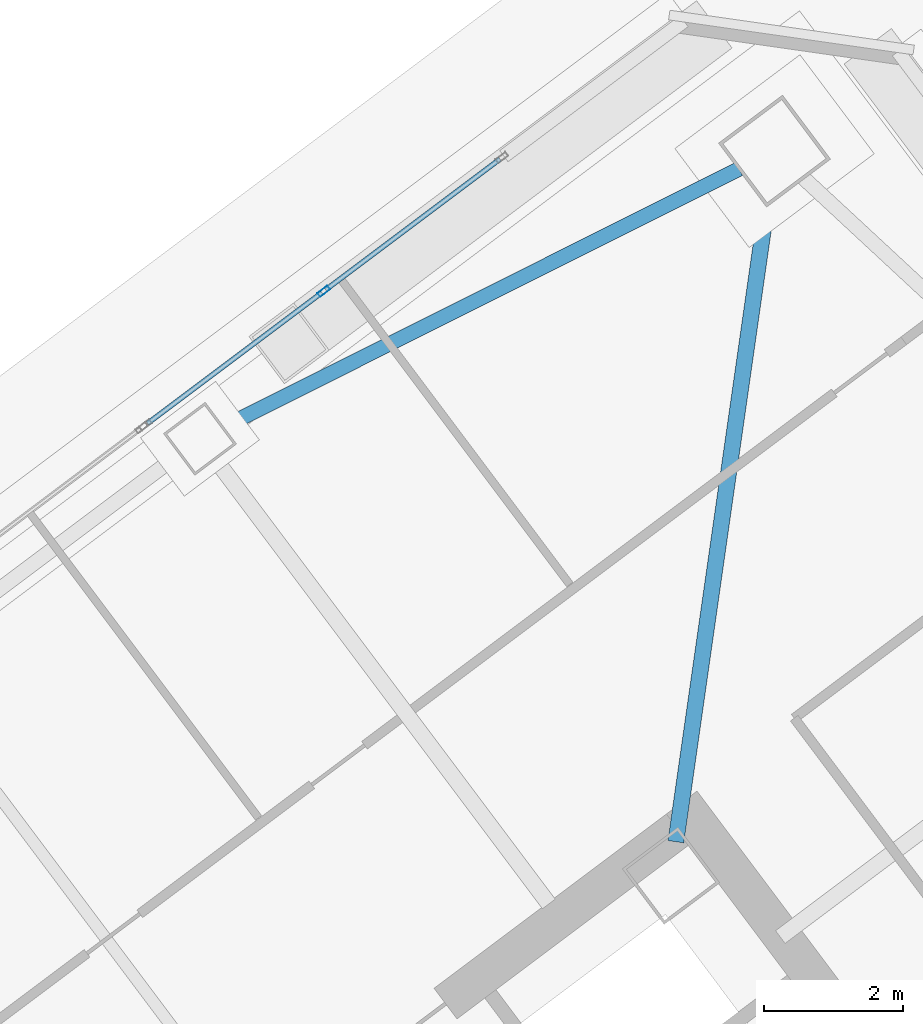
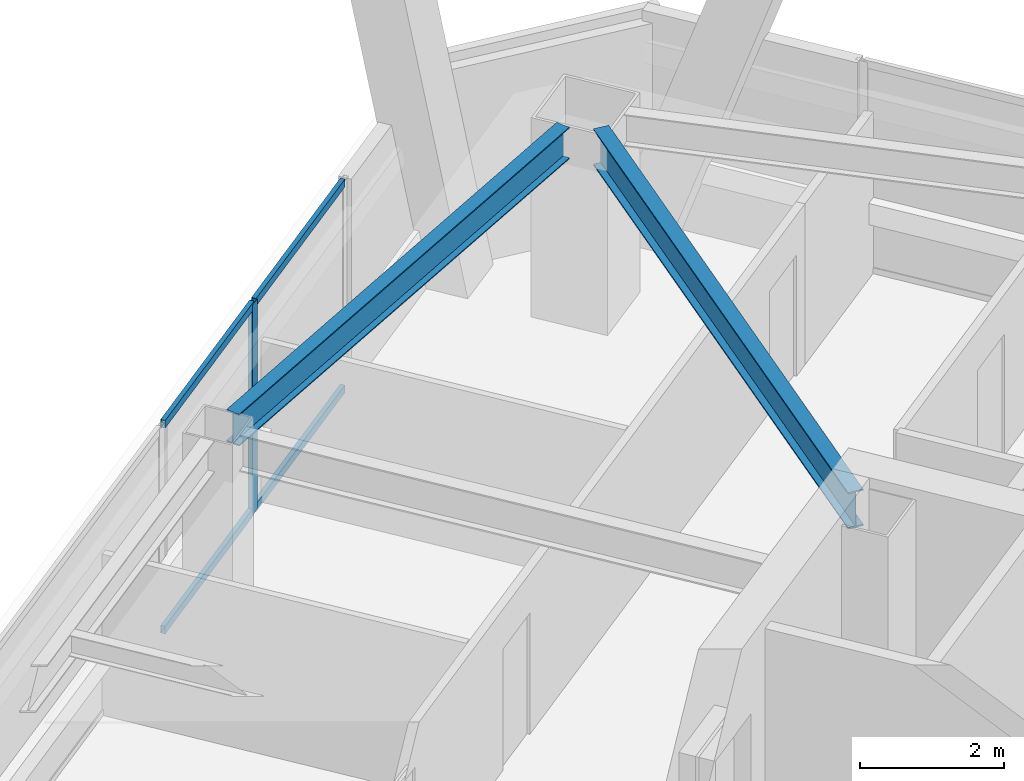
# One storey, part 46 of 65: 5 members, 2 beams, 1 element without a shape of its own.
"""IFC4 building model written with IfcOpenShell, lengths in metres."""

import ifcopenshell
import ifcopenshell.guid

model = None  # the IFC model being written
_history = None  # IfcOwnerHistory: only IFC2X3 demands one
_inside = {}  # id of a spatial element -> (the spatial element, [elements in it])
_under = {}  # id of a project, library or spatial element -> (it, [spatial elements below it])
_declared = {}  # id of a project -> (the project, [libraries it declares])
_typed = {}  # id of a type object -> (the type object, [elements of that type])
_made_of = {}  # id of a material, layer set ... -> (it, [elements and type objects made of it])


def new_model(schema):
    """Start an empty IFC model of exactly this schema.

    Asked for "IFC4X3", IfcOpenShell would pick the latest addendum, in which some entities
    have other attributes; the version numbers below select the first issue.
    IFC2X3 requires an IfcOwnerHistory on every rooted entity: one is made here for all.
    """
    global model, _history
    if schema == "IFC4X3":
        model = ifcopenshell.file(schema_version=(4, 3, 0, 0))
    else:
        model = ifcopenshell.file(schema=schema)
    _inside.clear()
    _under.clear()
    _declared.clear()
    _typed.clear()
    _made_of.clear()
    _history = None
    if model.schema == "IFC2X3":
        org = make("IfcOrganization", Name="unknown")
        user = make(
            "IfcPersonAndOrganization",
            ThePerson=make("IfcPerson", FamilyName="unknown"),
            TheOrganization=org,
        )
        app = make(
            "IfcApplication",
            ApplicationDeveloper=org,
            Version="unknown",
            ApplicationFullName="unknown",
            ApplicationIdentifier="unknown",
        )
        _history = make(
            "IfcOwnerHistory",
            OwningUser=user,
            OwningApplication=app,
            ChangeAction="ADDED",
            CreationDate=0,
        )
    return model


def make(cls, **values):
    """One entity of the class cls with the attributes given. An attribute that is None is left unset."""
    return model.create_entity(
        cls, **{name: value for name, value in values.items() if value is not None}
    )


def rooted(cls, **values):
    """An entity with a GlobalId (a new one), such as an element, a storey or a relation."""
    return make(cls, GlobalId=ifcopenshell.guid.new(), OwnerHistory=_history, **values)


def si_unit(unit_type, name, prefix=None):
    """IfcSIUnit, for example si_unit("LENGTHUNIT", "METRE", prefix="MILLI")."""
    return make("IfcSIUnit", UnitType=unit_type, Prefix=prefix, Name=name)


def assignment(units):
    """IfcUnitAssignment: the units of a project."""
    return None if units is None else make("IfcUnitAssignment", Units=units)


def point(xyz):
    """IfcCartesianPoint."""
    return None if xyz is None else make("IfcCartesianPoint", Coordinates=xyz)


def direction(xyz):
    """IfcDirection."""
    return None if xyz is None else make("IfcDirection", DirectionRatios=xyz)


def frame(location, z_axis=None, x_axis=None):
    """IfcAxis2Placement3D, a coordinate frame: its origin and axes. An axis left out is left unset."""
    return make(
        "IfcAxis2Placement3D",
        Location=point(location),
        Axis=direction(z_axis),
        RefDirection=direction(x_axis),
    )


def frame_2d(location, x_axis=None):
    """IfcAxis2Placement2D, a coordinate frame in the plane: its origin and x axis."""
    return make(
        "IfcAxis2Placement2D", Location=point(location), RefDirection=direction(x_axis)
    )


def origin():
    """The frame at (0, 0, 0) with its axes left unset."""
    return frame((0.0, 0.0, 0.0))


def origin_2d():
    """The frame at (0, 0) in the plane with its x axis left unset."""
    return frame_2d((0.0, 0.0))


def place(relative_to, where):
    """IfcLocalPlacement: puts the frame where relative to a parent placement (None: the world)."""
    return make(
        "IfcLocalPlacement", PlacementRelTo=relative_to, RelativePlacement=where
    )


def context(
    kind, dimensions, precision=None, world=None, true_north=None, identifier=None
):
    """IfcGeometricRepresentationContext, for example the 3D "Model" context."""
    return make(
        "IfcGeometricRepresentationContext",
        ContextIdentifier=identifier,
        ContextType=kind,
        CoordinateSpaceDimension=dimensions,
        Precision=precision,
        WorldCoordinateSystem=world,
        TrueNorth=true_north,
    )


def subcontext(parent, identifier, kind, view, scale=None):
    """IfcGeometricRepresentationSubContext, for example "Body" below "Model"."""
    return make(
        "IfcGeometricRepresentationSubContext",
        ContextIdentifier=identifier,
        ContextType=kind,
        ParentContext=parent,
        TargetScale=scale,
        TargetView=view,
    )


def project(units=None, contexts=None):
    """IfcProject with its units and contexts."""
    return rooted(
        "IfcProject",
        Name="project",
        RepresentationContexts=contexts,
        UnitsInContext=assignment(units),
    )


def spatial(cls, under=None, at=None, **own):
    """A site, building, storey or space (cls), placed at a placement, below another one or the project."""
    s = rooted(cls, ObjectPlacement=at, **own)
    if under is not None:
        _under.setdefault(under.id(), (under, []))[1].append(s)
    return s


def profile(cls, at=None, kind="AREA", **sizes):
    """A parametric profile (cls). Its sizes go by their IFC names, for example OverallWidth=200.0."""
    return make(cls, ProfileType=kind, Position=at, **sizes)


def hollow_rectangle(**sizes):
    """IfcRectangleHollowProfileDef."""
    return profile("IfcRectangleHollowProfileDef", **sizes)


def i_section(**sizes):
    """IfcIShapeProfileDef."""
    return profile("IfcIShapeProfileDef", **sizes)


def extrude(swept, where, along, depth):
    """IfcExtrudedAreaSolid: the profile swept, set in the frame where, extruded along a direction by depth."""
    return make(
        "IfcExtrudedAreaSolid",
        SweptArea=swept,
        Position=where,
        ExtrudedDirection=direction(along),
        Depth=depth,
    )


def shape(context_of_items, identifier, shape_type, items):
    """IfcShapeRepresentation: the items that make up one representation, for example the "Body"."""
    return make(
        "IfcShapeRepresentation",
        ContextOfItems=context_of_items,
        RepresentationIdentifier=identifier,
        RepresentationType=shape_type,
        Items=items,
    )


def material(Name=None, Category=None):
    """IfcMaterial."""
    return make("IfcMaterial", Name=Name, Category=Category)


def material_profile(
    of_material, cross_section, Name=None, Category=None, Priority=None
):
    """IfcMaterialProfile: a cross section and its material."""
    return make(
        "IfcMaterialProfile",
        Name=Name,
        Material=of_material,
        Profile=cross_section,
        Priority=Priority,
        Category=Category,
    )


def profile_set(profiles, Name=None, composite=None):
    """IfcMaterialProfileSet."""
    return make(
        "IfcMaterialProfileSet",
        Name=Name,
        MaterialProfiles=profiles,
        CompositeProfile=composite,
    )


def made_of(thing, what):
    """Note that an element or type object is made of a material, layer set ...; save() writes the relation."""
    if what is not None:
        _made_of.setdefault(what.id(), (what, []))[1].append(thing)
    return thing


def type_object(cls, material=None, **own):
    """A type object (cls), such as IfcWallType, which elements share."""
    return made_of(rooted(cls, **own), material)


def element(
    cls,
    number,
    at=None,
    inside=None,
    cuts=None,
    type_object=None,
    material=None,
    context=None,
    identifier="Body",
    shape_type=None,
    held_by="IfcProductDefinitionShape",
    body=None,
    shapes=None,
    **own,
):
    """One element of the class cls, such as IfcWall. Its Tag is "e" and its number.

    at: its placement. inside: the storey or other place that contains it. cuts: it is an
    opening in that element (IfcRelVoidsElement). A single representation is given by context,
    identifier, shape_type and body (its items); several are given by shapes. held_by: the class
    of the entity that holds the representations. save() writes the other relations.
    """
    e = rooted(cls, Tag="e%d" % number, ObjectPlacement=at, **own)
    if body is not None:
        shapes = [shape(context, identifier, shape_type, body)]
    if shapes is not None:
        e.Representation = make(held_by, Representations=shapes)
    if inside is not None:
        _inside.setdefault(inside.id(), (inside, []))[1].append(e)
    if cuts is not None:
        rooted(
            "IfcRelVoidsElement", RelatingBuildingElement=cuts, RelatedOpeningElement=e
        )
    if type_object is not None:
        _typed.setdefault(type_object.id(), (type_object, []))[1].append(e)
    return made_of(e, material)


def aggregate(whole, parts):
    """IfcRelAggregates: a whole, such as a stair, and the parts it consists of."""
    return rooted("IfcRelAggregates", RelatingObject=whole, RelatedObjects=parts)


def save(model, path):
    """Write the relations noted so far, then the file.

    IfcRelAggregates (storeys below a building ...), IfcRelContainedInSpatialStructure (elements
    in a storey), IfcRelDefinesByType, IfcRelAssociatesMaterial and IfcRelDeclares: one each for
    every whole, place, type object, material and project.
    """
    for whole, parts in _under.values():
        aggregate(whole, parts)
    for where, things in _inside.values():
        rooted(
            "IfcRelContainedInSpatialStructure",
            RelatedElements=things,
            RelatingStructure=where,
        )
    for kind, things in _typed.values():
        rooted("IfcRelDefinesByType", RelatedObjects=things, RelatingType=kind)
    for what, things in _made_of.values():
        rooted("IfcRelAssociatesMaterial", RelatedObjects=things, RelatingMaterial=what)
    for by, libraries in _declared.values():
        rooted("IfcRelDeclares", RelatingContext=by, RelatedDefinitions=libraries)
    model.write(path)


model = new_model("IFC4")

# Units and contexts
model_context = context("Model", 3, precision=1e-05, world=origin(), true_north=direction((0.0, 1.0)))
body_context = subcontext(model_context, "Body", "Model", "MODEL_VIEW")
ifc_project = project(units=[si_unit("LENGTHUNIT", "METRE"), si_unit("AREAUNIT", "SQUARE_METRE"), si_unit("VOLUMEUNIT", "CUBIC_METRE"), si_unit("PLANEANGLEUNIT", "RADIAN"), si_unit("MASSUNIT", "GRAM", prefix="KILO")], contexts=[model_context])

# Site, building, storey
site_placement = place(None, origin())
site = spatial("IfcSite", under=ifc_project, at=site_placement, CompositionType="ELEMENT")
building_placement = place(site_placement, origin())
building = spatial("IfcBuilding", under=site, at=building_placement, Name="Tashvorn Skyway Center", CompositionType="ELEMENT")
storey_placement = place(building_placement, frame((0.0, 0.0, 157.0)))
storey = spatial("IfcBuildingStorey", under=building, at=storey_placement, Name="L42", CompositionType="ELEMENT", Elevation=157.0)

# Beams
ifc_material_1 = material(Name="Steel ASTM A992 Grade 50", Category="steel")
ifc_material_profile_1 = material_profile(ifc_material_1, i_section(OverallWidth=0.22998046875, OverallDepth=0.616943359375, WebThickness=0.01318359375, FlangeThickness=0.022216796875, at=origin_2d()), Name="W24X94")
ifc_profile_set_1 = profile_set([ifc_material_profile_1], Name="Steel ASTM A992 Grade 50")
beam_type_1 = type_object("IfcBeamType", Name="BM-BEAM-W24X94", PredefinedType="BEAM", material=ifc_profile_set_1)
beam_1_placement = place(storey_placement, frame((116.8193359375, 51.73583984375, 3.0615234375), z_axis=(-0.141417747326, -0.989950009213, 0.0), x_axis=(0.989950009213, -0.141417747326, 0.0)))
element("IfcBeam", 1, at=beam_1_placement, inside=storey, type_object=beam_type_1, Name="Tower 2 L42 Primary Floor Girder MC-NE", PredefinedType="BEAM", context=body_context, shape_type="SweptSolid", body=[
    extrude(i_section(OverallWidth=0.22998046875, OverallDepth=0.616943359375, WebThickness=0.01318359375, FlangeThickness=0.022216796875, at=origin_2d()), origin(), (0.0, 0.0, 1.0), 9.470947265625),
])
ifc_material_profile_2 = material_profile(ifc_material_1, i_section(OverallWidth=0.2109375, OverallDepth=0.5390625, WebThickness=0.01171875, FlangeThickness=0.018798828125, at=origin_2d()), Name="W21X73")
ifc_profile_set_2 = profile_set([ifc_material_profile_2], Name="Steel ASTM A992 Grade 50")
beam_type_2 = type_object("IfcBeamType", Name="BM-SPANDREL-W21X73", PredefinedType="SPANDREL", material=ifc_profile_set_2)
beam_2_placement = place(storey_placement, frame((116.390380859375, 52.044921875, 3.1005859375), z_axis=(-0.894209637559, -0.447648438059, 0.0), x_axis=(0.447648438059, -0.894209637559, 0.0)))
element("IfcBeam", 2, at=beam_2_placement, inside=storey, type_object=beam_type_2, Name="Tower 2 L42 Spandrel Beam 07", PredefinedType="SPANDREL", context=body_context, shape_type="SweptSolid", body=[
    extrude(i_section(OverallWidth=0.2109375, OverallDepth=0.5390625, WebThickness=0.01171875, FlangeThickness=0.018798828125, at=origin_2d()), origin(), (0.0, 0.0, 1.0), 8.308349609375),
])

# Curtain wall, members
ifc_material_2 = material(Name="Thermally broken bronze-anodized aluminium 6063-T6", Category="aluminium")
curtain_wall_type = type_object("IfcCurtainWallType", Name="CW-CW-Z4", PredefinedType="NOTDEFINED", material=ifc_material_2)
curtain_wall_placement = place(storey_placement, origin())
curtain_wall = element("IfcCurtainWall", 3, at=curtain_wall_placement, inside=storey, type_object=curtain_wall_type, Name="Tower 2 L42 North Unitised Curtain Wall Glazing Group 3", PredefinedType="NOTDEFINED")
ifc_material_profile_3 = material_profile(ifc_material_2, hollow_rectangle(XDim=0.070068359375, YDim=0.179931640625, WallThickness=0.00390625, at=origin_2d()), Name="ALU-MULL-70x180")
ifc_profile_set_3 = profile_set([ifc_material_profile_3], Name="Thermally broken bronze-anodized aluminium 6063-T6")
member_type_1 = type_object("IfcMemberType", Name="CWM-CW-Z4", PredefinedType="MULLION", material=ifc_profile_set_3)
member_1_placement = place(storey_placement, frame((110.412109375, 50.283935546875, 0.0), z_axis=(0.0, 0.0, 1.0), x_axis=(-0.600000000002, 0.799999999998, 0.0)))
member_1 = element("IfcMember", 4, at=member_1_placement, type_object=member_type_1, Name="CW-Z4 mullion 2", PredefinedType="MULLION", context=body_context, shape_type="SweptSolid", body=[
    extrude(hollow_rectangle(XDim=0.070068359375, YDim=0.179931640625, WallThickness=0.00390625, at=origin_2d()), origin(), (0.0, 0.0, 1.0), 3.550048828125),
])
ifc_material_profile_4 = material_profile(ifc_material_2, hollow_rectangle(XDim=0.070068359375, YDim=0.1298828125, WallThickness=0.00390625, at=origin_2d()), Name="ALU-TRAN-70x130")
ifc_profile_set_4 = profile_set([ifc_material_profile_4], Name="Thermally broken bronze-anodized aluminium 6063-T6")
member_type_2 = type_object("IfcMemberType", Name="CWT-CW-Z4", PredefinedType="USERDEFINED", material=ifc_profile_set_4)
member_2_placement = place(storey_placement, frame((107.8759765625, 48.382080078125, 0.034912109375), z_axis=(0.800028034763, 0.599962618496, 0.0), x_axis=(-0.599962618496, 0.800028034763, 0.0)))
member_2 = element("IfcMember", 5, at=member_2_placement, type_object=member_type_2, Name="CW-Z4 transom 1.1", ObjectType="TRANSOM", PredefinedType="USERDEFINED", context=body_context, shape_type="SweptSolid", body=[
    extrude(hollow_rectangle(XDim=0.070068359375, YDim=0.1298828125, WallThickness=0.00390625, at=origin_2d()), origin(), (0.0, 0.0, 1.0), 3.135009765625),
])
member_3_placement = place(storey_placement, frame((107.8759765625, 48.382080078125, 3.514892578125), z_axis=(0.800028034763, 0.599962618496, 0.0), x_axis=(-0.599962618496, 0.800028034763, 0.0)))
member_3 = element("IfcMember", 6, at=member_3_placement, type_object=member_type_2, Name="CW-Z4 transom 1.2", ObjectType="TRANSOM", PredefinedType="USERDEFINED", context=body_context, shape_type="SweptSolid", body=[
    extrude(hollow_rectangle(XDim=0.070068359375, YDim=0.1298828125, WallThickness=0.00390625, at=origin_2d()), origin(), (0.0, 0.0, 1.0), 3.135009765625),
])
member_4_placement = place(storey_placement, frame((110.43994140625, 50.304931640625, 0.034912109375), z_axis=(0.799990655127, 0.600012459628, 0.0), x_axis=(-0.600012459628, 0.799990655127, 0.0)))
member_4 = element("IfcMember", 7, at=member_4_placement, type_object=member_type_2, Name="CW-Z4 transom 2.1", ObjectType="TRANSOM", PredefinedType="USERDEFINED", context=body_context, shape_type="SweptSolid", body=[
    extrude(hollow_rectangle(XDim=0.070068359375, YDim=0.1298828125, WallThickness=0.00390625, at=origin_2d()), origin(), (0.0, 0.0, 1.0), 3.135009765625),
])
member_5_placement = place(storey_placement, frame((110.43994140625, 50.304931640625, 3.514892578125), z_axis=(0.799990655127, 0.600012459628, 0.0), x_axis=(-0.600012459628, 0.799990655127, 0.0)))
member_5 = element("IfcMember", 8, at=member_5_placement, type_object=member_type_2, Name="CW-Z4 transom 2.2", ObjectType="TRANSOM", PredefinedType="USERDEFINED", context=body_context, shape_type="SweptSolid", body=[
    extrude(hollow_rectangle(XDim=0.070068359375, YDim=0.1298828125, WallThickness=0.00390625, at=origin_2d()), origin(), (0.0, 0.0, 1.0), 3.135009765625),
])
aggregate(curtain_wall, [member_1, member_2, member_3, member_4, member_5])

save(model, "model.ifc")
